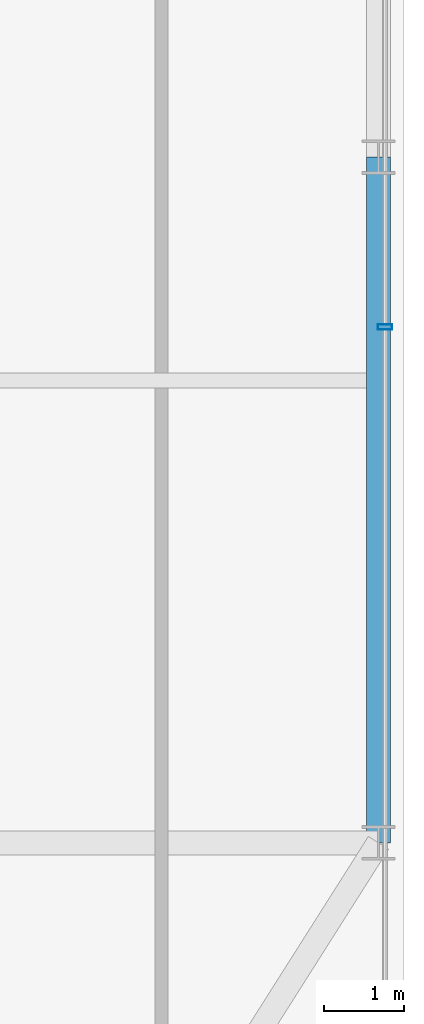
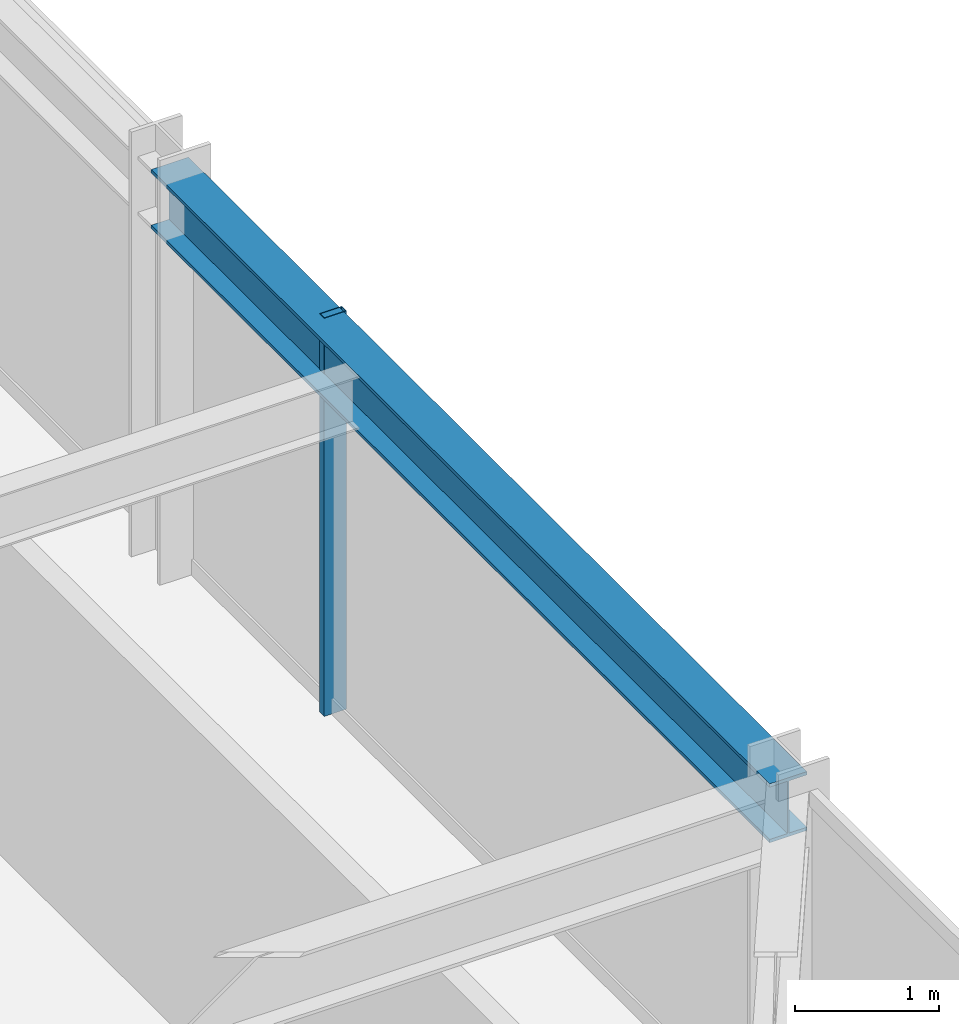
# One storey, part 13 of 35: 1 beam, 1 member, 1 element without a shape of its own.
"""IFC4 building model written with IfcOpenShell, lengths in metres."""

from ifc_helpers import new_model, si_unit, direction, frame, origin, origin_2d, place, context, subcontext, project, spatial, hollow_rectangle, i_section, extrude, source, transform, mapped, material, material_profile, profile_set, type_object, element, aggregate, save


model = new_model("IFC4")

# Units and contexts
model_context = context("Model", 3, precision=1e-05, world=origin(), true_north=direction((0.0, 1.0)))
body_context = subcontext(model_context, "Body", "Model", "MODEL_VIEW")
ifc_project = project(units=[si_unit("LENGTHUNIT", "METRE"), si_unit("AREAUNIT", "SQUARE_METRE"), si_unit("VOLUMEUNIT", "CUBIC_METRE"), si_unit("PLANEANGLEUNIT", "RADIAN"), si_unit("MASSUNIT", "GRAM", prefix="KILO")], contexts=[model_context])

# Site, building, storey
site_placement = place(None, origin())
site = spatial("IfcSite", under=ifc_project, at=site_placement, CompositionType="ELEMENT")
building_placement = place(site_placement, origin())
building = spatial("IfcBuilding", under=site, at=building_placement, Name="Nahalor Promenade Grand Hotel", CompositionType="ELEMENT")
storey_placement = place(building_placement, frame((0.0, 0.0, 121.14990234375)))
storey = spatial("IfcBuildingStorey", under=building, at=storey_placement, Name="L30", CompositionType="ELEMENT", Elevation=121.14990234375)

# Beam
ifc_material_1 = material(Name="Steel S355JR", Category="steel")
ifc_material_profile_1 = material_profile(ifc_material_1, i_section(OverallWidth=0.3, OverallDepth=0.5, WebThickness=0.0145, FlangeThickness=0.028, at=origin_2d()), Name="HEB 500")
ifc_profile_set_1 = profile_set([ifc_material_profile_1], Name="Steel S355JR")
beam_type = type_object("IfcBeamType", Name="Beam-Spandrel-HEB500", PredefinedType="SPANDREL", material=ifc_profile_set_1)
shared_shape_1 = source(origin(), body_context, "Body", "SweptSolid", [
    extrude(i_section(OverallWidth=0.3, OverallDepth=0.5, WebThickness=0.0145, FlangeThickness=0.028, at=origin_2d()), origin(), (0.0, 0.0, 1.0), 8.60009765625),
])
beam_placement = place(storey_placement, frame((23.780029296875, -17.0, 3.130126953125), z_axis=(0.0, 1.0, 0.0), x_axis=(-1.0, 0.0, 0.0)))
element("IfcBeam", 1, at=beam_placement, inside=storey, type_object=beam_type, Name="BM-L30-SP-E-0", PredefinedType="SPANDREL", context=body_context, shape_type="MappedRepresentation", body=[
    mapped(shared_shape_1, transform((0.0, 0.0, 0.0), scale=1.0)),
])

# Curtain wall, member
ifc_material_2 = material(Name="Anodised Bronze Aluminium EN AW-6063 T6", Category="aluminium")
curtain_wall_type = type_object("IfcCurtainWallType", Name="CW2 Typical Hotel Flush Bronze Unitised Curtain Wall", PredefinedType="USERDEFINED", material=ifc_material_2)
curtain_wall_placement = place(storey_placement, origin())
curtain_wall = element("IfcCurtainWall", 2, at=curtain_wall_placement, inside=storey, type_object=curtain_wall_type, Name="L30 Curtain Wall CW-L30-E-1", ObjectType="UNITISED_CURTAIN_WALL", PredefinedType="USERDEFINED")
ifc_material_profile_2 = material_profile(ifc_material_2, hollow_rectangle(XDim=0.065, YDim=0.18, WallThickness=0.004, at=origin_2d()), Name="CWM 65x180x4")
ifc_profile_set_2 = profile_set([ifc_material_profile_2], Name="Anodised Bronze Aluminium EN AW-6063 T6")
member_type = type_object("IfcMemberType", Name="CWM2 Typical Bronze Mullion 65x180", PredefinedType="MULLION", material=ifc_profile_set_2)
shared_shape_2 = source(origin(), body_context, "Body", "SweptSolid", [
    extrude(hollow_rectangle(XDim=0.065, YDim=0.18, WallThickness=0.004, at=origin_2d()), origin(), (0.0, 0.0, 1.0), 3.380126953125),
])
member_placement = place(storey_placement, frame((23.860107421875, -10.530029296875, 0.0), z_axis=(0.0, 0.0, 1.0), x_axis=(0.0, 1.0, 0.0)))
member = element("IfcMember", 3, at=member_placement, type_object=member_type, Name="CW-L30-E-1 Mullion 1", PredefinedType="MULLION", context=body_context, shape_type="MappedRepresentation", body=[
    mapped(shared_shape_2, transform((0.0, 0.0, 0.0), scale=1.0)),
])
aggregate(curtain_wall, [member])

save(model, "model.ifc")
